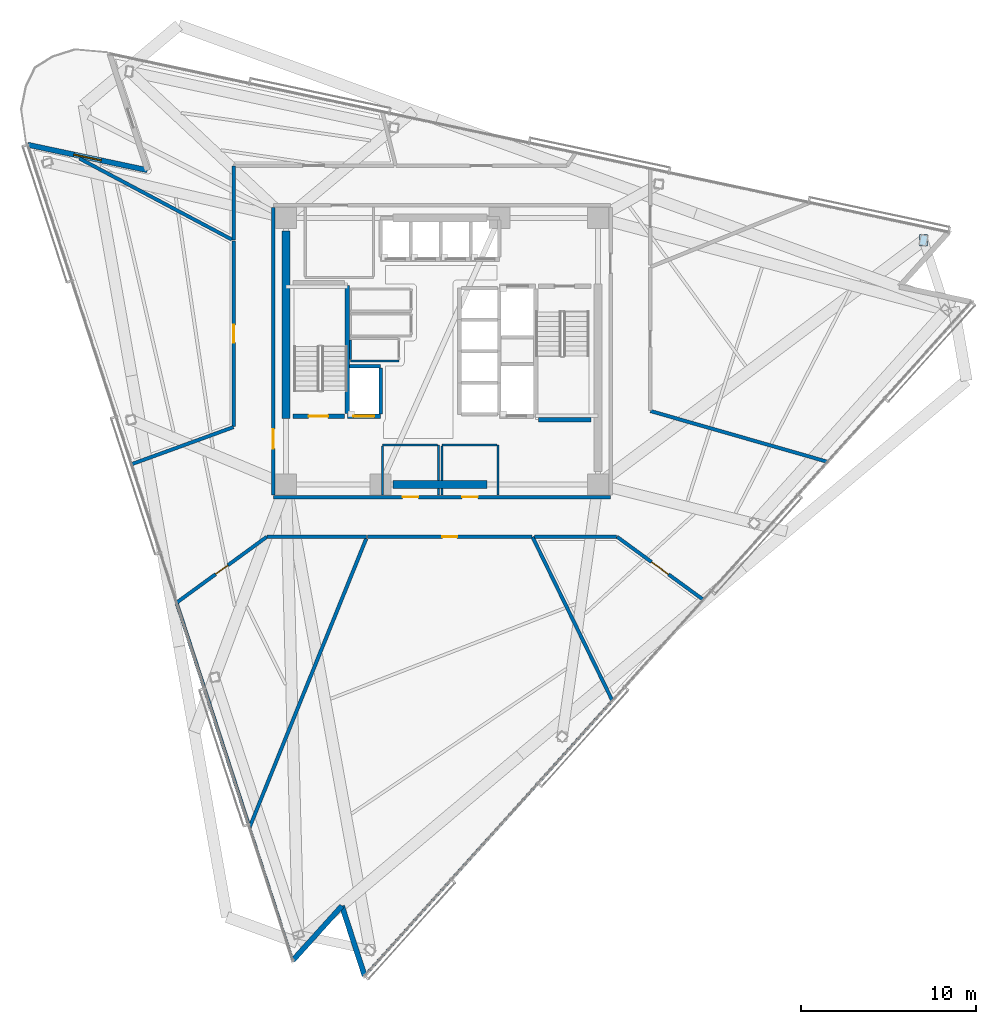
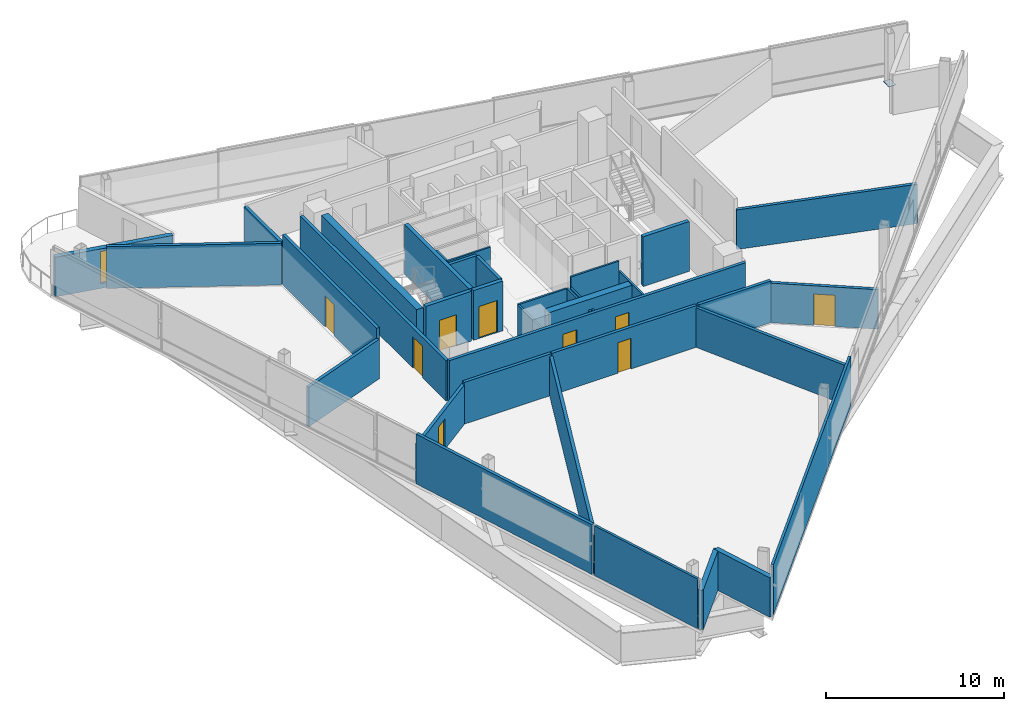
# One storey, part 10 of 17: 38 walls, 9 doors, 1 plate, 1 window, 10 openings.
"""IFC4 building model written with IfcOpenShell, lengths in metres."""

from ifc_helpers import new_model, si_unit, direction, frame, frame_2d, origin, origin_2d, place, context, subcontext, project, spatial, rectangle, extrude, material, layer, layer_set, type_object, element, fill, save


model = new_model("IFC4")

# Units and contexts
model_context = context("Model", 3, precision=1e-05, world=origin(), true_north=direction((0.0, 1.0)))
body_context = subcontext(model_context, "Body", "Model", "MODEL_VIEW")
ifc_project = project(units=[si_unit("LENGTHUNIT", "METRE"), si_unit("AREAUNIT", "SQUARE_METRE"), si_unit("VOLUMEUNIT", "CUBIC_METRE"), si_unit("PLANEANGLEUNIT", "RADIAN"), si_unit("MASSUNIT", "GRAM", prefix="KILO")], contexts=[model_context])

# Site, building, storey
site_placement = place(None, origin())
site = spatial("IfcSite", under=ifc_project, at=site_placement, CompositionType="ELEMENT")
building_placement = place(site_placement, origin())
building = spatial("IfcBuilding", under=site, at=building_placement, Name="Tharavind Bronze Gate", CompositionType="ELEMENT")
storey_placement = place(building_placement, frame((0.0, 0.0, 196.85009765625)))
storey = spatial("IfcBuildingStorey", under=building, at=storey_placement, Name="L50", CompositionType="ELEMENT", Elevation=196.85009765625)

# Plate
ifc_material_1 = material(Name="Steel S460", Category="steel")
ifc_layer_1 = layer(ifc_material_1, 0.02490234375)
ifc_layer_set_1 = layer_set([ifc_layer_1], Name="Steel S460")
plate_type = type_object("IfcPlateType", Name="STEEL END CAP SHEET 25", PredefinedType="SHEET", material=ifc_layer_set_1)
plate_placement = place(storey_placement, frame((27.478515625, 6.330078125, -0.012451171875), z_axis=(0.0, 0.0, 1.0), x_axis=(1.0, 0.0, 0.0)))
element("IfcPlate", 1, at=plate_placement, inside=storey, type_object=plate_type, Name="Steel end cap plate CAP-COLB-L50-S3C1", PredefinedType="SHEET", context=body_context, shape_type="SweptSolid", body=[
    extrude(rectangle(XDim=0.445068359375, YDim=0.64501953125, at=origin_2d()), origin(), (0.0, 0.0, 1.0), 0.02490234375),
])

# Wall, opening, window
ifc_material_2 = material(Name="Concrete C40/50", Category="concrete")
ifc_layer_2 = layer(ifc_material_2, 0.300048828125)
ifc_layer_set_2 = layer_set([ifc_layer_2], Name="Concrete C40/50")
wall_type_1 = type_object("IfcWallType", Name="EXTERIOR SPANDREL WALL 300", PredefinedType="STANDARD", material=ifc_layer_set_2)
wall_1_placement = place(storey_placement, frame((-16.802734375, 10.329345703125, 0.0), z_axis=(0.0, 0.0, 1.0), x_axis=(-0.9781486268, 0.207906863497, 0.0)))
wall_1 = element("IfcWall", 2, at=wall_1_placement, inside=storey, type_object=wall_type_1, Name="L50 notch cheek wall 1B", PredefinedType="STANDARD", context=body_context, shape_type="SweptSolid", body=[
    extrude(rectangle(XDim=6.97998046875, YDim=0.300048828125, at=frame_2d((3.489990234375, 0.0))), origin(), (0.0, 0.0, 1.0), 2.71484375),
])
opening_1_placement = place(wall_1_placement, frame((2.68994140625, 0.0, 0.3349609375)))
opening_1 = element("IfcOpeningElement", 3, at=opening_1_placement, cuts=wall_1, Name="Opening W05", PredefinedType="OPENING", context=body_context, shape_type="SweptSolid", body=[
    extrude(rectangle(XDim=1.60009765625, YDim=2.199951171875, at=frame_2d((0.800048828125, 1.10009765625))), frame((0.0, 0.15990234375, 0.0), z_axis=(0.0, -1.0, 0.0), x_axis=(1.0, 0.0, 0.0)), (0.0, 0.0, 1.0), 0.320048828125),
])
ifc_material_3 = material(Name="Bronze Aluminium & Low-E Glass", Category="aluminium")
window_type = type_object("IfcWindowType", Name="OFFICE NOTCH BRONZE WINDOW 1600X2200", PartitioningType="DOUBLE_PANEL_VERTICAL", PredefinedType="WINDOW", material=ifc_material_3)
window_placement = place(opening_1_placement, origin())
window = element("IfcWindow", 4, at=window_placement, inside=storey, type_object=window_type, Name="L50 exterior window WL-L50-NCA1-01", OverallHeight=2.199951171875, OverallWidth=1.60009765625, PartitioningType="SINGLE_PANEL", PredefinedType="WINDOW", context=body_context, shape_type="SweptSolid", body=[
    extrude(rectangle(XDim=1.60009765625, YDim=2.199951171875, at=frame_2d((0.800048828125, 1.10009765625))), frame((0.0, 0.030029296875, 0.0), z_axis=(0.0, -1.0, 0.0), x_axis=(1.0, 0.0, 0.0)), (0.0, 0.0, 1.0), 0.06005859375),
])
fill(opening_1, window)

# Walls
wall_2_placement = place(storey_placement, frame((-8.5087890625, -34.7587890625, 0.0), z_axis=(0.0, 0.0, 1.0), x_axis=(0.669151507466, 0.743126005504, 0.0)))
element("IfcWall", 5, at=wall_2_placement, inside=storey, type_object=wall_type_1, Name="L50 notch cheek wall 2A", PredefinedType="STANDARD", context=body_context, shape_type="SweptSolid", body=[
    extrude(rectangle(XDim=4.188232421875, YDim=0.300048828125, at=frame_2d((2.09423828125, 0.0))), origin(), (0.0, 0.0, 1.0), 2.71484375),
])
wall_3_placement = place(storey_placement, frame((-5.706298828125, -31.646484375, 0.0), z_axis=(0.0, 0.0, 1.0), x_axis=(0.309030708092, -0.951052060329, 0.0)))
element("IfcWall", 6, at=wall_3_placement, inside=storey, type_object=wall_type_1, Name="L50 notch cheek wall 2B", PredefinedType="STANDARD", context=body_context, shape_type="SweptSolid", body=[
    extrude(rectangle(XDim=4.18798828125, YDim=0.300048828125, at=frame_2d((2.093994140625, 0.0))), origin(), (0.0, 0.0, 1.0), 2.71484375),
])

# Wall, openings, doors
ifc_material_4 = material(Name="Aerated Concrete Block", Category="concrete")
ifc_layer_3 = layer(ifc_material_4, 0.199951171875)
ifc_layer_set_3 = layer_set([ifc_layer_3], Name="Aerated Concrete Block")
wall_type_2 = type_object("IfcWallType", Name="FIRE RATED PARTITION 200", PredefinedType="PARTITIONING", material=ifc_layer_set_3)
wall_4_placement = place(storey_placement, frame((-9.6201171875, -8.320068359375, 0.0), z_axis=(0.0, 0.0, 1.0), x_axis=(1.0, 0.0, 0.0)))
wall_4 = element("IfcWall", 7, at=wall_4_placement, inside=storey, type_object=wall_type_2, Name="L50 south core corridor wall", PredefinedType="PARTITIONING", context=body_context, shape_type="SweptSolid", body=[
    extrude(rectangle(XDim=19.240234375, YDim=0.199951171875, at=frame_2d((9.6201171875, 0.0))), origin(), (0.0, 0.0, 1.0), 2.864990234375),
])
opening_2_placement = place(wall_4_placement, frame((7.3701171875, 0.0, 0.0)))
opening_2 = element("IfcOpeningElement", 8, at=opening_2_placement, cuts=wall_4, Name="Opening ID07", PredefinedType="OPENING", context=body_context, shape_type="SweptSolid", body=[
    extrude(rectangle(XDim=0.89990234375, YDim=2.10009765625, at=frame_2d((0.449951171875, 1.050048828125))), frame((0.0, 0.11009765625, 0.0), z_axis=(0.0, -1.0, 0.0), x_axis=(1.0, 0.0, 0.0)), (0.0, 0.0, 1.0), 0.219951171875),
])
opening_3_placement = place(wall_4_placement, frame((10.77001953125, 0.0, 0.0)))
opening_3 = element("IfcOpeningElement", 9, at=opening_3_placement, cuts=wall_4, Name="Opening ID07", PredefinedType="OPENING", context=body_context, shape_type="SweptSolid", body=[
    extrude(rectangle(XDim=0.89990234375, YDim=2.10009765625, at=frame_2d((0.449951171875, 1.050048828125))), frame((0.0, 0.11009765625, 0.0), z_axis=(0.0, -1.0, 0.0), x_axis=(1.0, 0.0, 0.0)), (0.0, 0.0, 1.0), 0.219951171875),
])
ifc_material_5 = material(Name="Galvanised Fire Steel", Category="steel")
door_type_1 = type_object("IfcDoorType", Name="PLANT AND RISER FIRE DOOR 900X2100", OperationType="SINGLE_SWING_LEFT", PredefinedType="DOOR", material=ifc_material_5)
door_1_placement = place(opening_2_placement, frame((0.89990234375, 0.0, 0.0), z_axis=(0.0, 0.0, 1.0), x_axis=(-1.0, 0.0, 0.0)))
door_1 = element("IfcDoor", 10, at=door_1_placement, inside=storey, type_object=door_type_1, Name="L50 Core Archive Store fire door", OperationType="SINGLE_SWING_LEFT", OverallHeight=2.10009765625, OverallWidth=0.89990234375, PredefinedType="DOOR", context=body_context, shape_type="SweptSolid", body=[
    extrude(rectangle(XDim=0.89990234375, YDim=2.10009765625, at=frame_2d((0.449951171875, 1.050048828125))), frame((0.0, 0.02490234375, 0.0), z_axis=(0.0, -1.0, 0.0), x_axis=(1.0, 0.0, 0.0)), (0.0, 0.0, 1.0), 0.050048828125),
])
fill(opening_2, door_1)
door_2_placement = place(opening_3_placement, frame((0.89990234375, 0.0, 0.0), z_axis=(0.0, 0.0, 1.0), x_axis=(-1.0, 0.0, 0.0)))
door_2 = element("IfcDoor", 11, at=door_2_placement, inside=storey, type_object=door_type_1, Name="L50 Core Server Room fire door", OperationType="SINGLE_SWING_LEFT", OverallHeight=2.10009765625, OverallWidth=0.89990234375, PredefinedType="DOOR", context=body_context, shape_type="SweptSolid", body=[
    extrude(rectangle(XDim=0.89990234375, YDim=2.10009765625, at=frame_2d((0.449951171875, 1.050048828125))), frame((0.0, 0.02490234375, 0.0), z_axis=(0.0, -1.0, 0.0), x_axis=(1.0, 0.0, 0.0)), (0.0, 0.0, 1.0), 0.050048828125),
])
fill(opening_3, door_2)

# Wall, opening, door
wall_5_placement = place(storey_placement, frame((-9.6201171875, 8.199951171875, 0.0), z_axis=(0.0, 0.0, 1.0), x_axis=(0.0, -1.0, 0.0)))
wall_5 = element("IfcWall", 12, at=wall_5_placement, inside=storey, type_object=wall_type_2, Name="L50 west core corridor wall", PredefinedType="PARTITIONING", context=body_context, shape_type="SweptSolid", body=[
    extrude(rectangle(XDim=16.39990234375, YDim=0.199951171875, at=frame_2d((8.199951171875, 0.0))), origin(), (0.0, 0.0, 1.0), 2.764892578125),
])
opening_4_placement = place(wall_5_placement, frame((12.64990234375, 0.0, 0.0)))
opening_4 = element("IfcOpeningElement", 13, at=opening_4_placement, cuts=wall_5, Name="Opening ID01", PredefinedType="OPENING", context=body_context, shape_type="SweptSolid", body=[
    extrude(rectangle(XDim=1.10009765625, YDim=2.14990234375, at=frame_2d((0.550048828125, 1.074951171875))), frame((0.0, 0.11009765625, 0.0), z_axis=(0.0, -1.0, 0.0), x_axis=(1.0, 0.0, 0.0)), (0.0, 0.0, 1.0), 0.219951171875),
])
ifc_material_6 = material(Name="Fire-Rated Steel", Category="steel")
door_type_2 = type_object("IfcDoorType", Name="STAIR CORE FIRE DOOR 1100X2150", OperationType="SINGLE_SWING_LEFT", PredefinedType="DOOR", material=ifc_material_6)
door_3_placement = place(opening_4_placement, frame((1.10009765625, 0.0, 0.0), z_axis=(0.0, 0.0, 1.0), x_axis=(-1.0, 0.0, 0.0)))
door_3 = element("IfcDoor", 14, at=door_3_placement, inside=storey, type_object=door_type_2, Name="L50 south west stair lobby fire door", OperationType="SINGLE_SWING_LEFT", OverallHeight=2.14990234375, OverallWidth=1.10009765625, PredefinedType="DOOR", context=body_context, shape_type="SweptSolid", body=[
    extrude(rectangle(XDim=1.10009765625, YDim=2.14990234375, at=frame_2d((0.550048828125, 1.074951171875))), frame((0.0, 0.02490234375, 0.0), z_axis=(0.0, -1.0, 0.0), x_axis=(1.0, 0.0, 0.0)), (0.0, 0.0, 1.0), 0.050048828125),
])
fill(opening_4, door_3)

wall_6_placement = place(storey_placement, frame((-15.14111328125, -14.3466796875, 0.0), z_axis=(0.0, 0.0, 1.0), x_axis=(0.807843616105, 0.589396888284, 0.0)))
wall_6 = element("IfcWall", 15, at=wall_6_placement, inside=storey, type_object=wall_type_2, Name="L50 Public Restrooms Block partition", PredefinedType="PARTITIONING", context=body_context, shape_type="SweptSolid", body=[
    extrude(rectangle(XDim=6.3828125, YDim=0.199951171875, at=frame_2d((3.19140625, 0.0))), origin(), (0.0, 0.0, 1.0), 2.71484375),
])
opening_5_placement = place(wall_6_placement, frame((2.76611328125, 0.0, 0.0)))
opening_5 = element("IfcOpeningElement", 16, at=opening_5_placement, cuts=wall_6, Name="Opening ID06", PredefinedType="OPENING", context=body_context, shape_type="SweptSolid", body=[
    extrude(rectangle(XDim=0.85009765625, YDim=2.10009765625, at=frame_2d((0.425048828125, 1.050048828125))), frame((0.0, 0.11009765625, 0.0), z_axis=(0.0, -1.0, 0.0), x_axis=(1.0, 0.0, 0.0)), (0.0, 0.0, 1.0), 0.219951171875),
])
ifc_material_7 = material(Name="Moisture-Resistant Timber", Category="wood")
door_type_3 = type_object("IfcDoorType", Name="BATHROOM PRIVACY DOOR 850X2100", OperationType="SINGLE_SWING_RIGHT", PredefinedType="DOOR", material=ifc_material_7)
door_4_placement = place(opening_5_placement, origin())
door_4 = element("IfcDoor", 17, at=door_4_placement, inside=storey, type_object=door_type_3, Name="L50 Public Restrooms Block door", OperationType="SINGLE_SWING_RIGHT", OverallHeight=2.10009765625, OverallWidth=0.85009765625, PredefinedType="DOOR", context=body_context, shape_type="SweptSolid", body=[
    extrude(rectangle(XDim=0.85009765625, YDim=2.10009765625, at=frame_2d((0.425048828125, 1.050048828125))), frame((0.0, 0.02490234375, 0.0), z_axis=(0.0, -1.0, 0.0), x_axis=(1.0, 0.0, 0.0)), (0.0, 0.0, 1.0), 0.050048828125),
])
fill(opening_5, door_4)

# Walls
wall_7_placement = place(storey_placement, frame((-9.969970703125, -10.580078125, 0.0), z_axis=(0.0, 0.0, 1.0), x_axis=(1.0, 0.0, 0.0)))
element("IfcWall", 18, at=wall_7_placement, inside=storey, type_object=wall_type_2, Name="L50 Public Restrooms Block partition", PredefinedType="PARTITIONING", context=body_context, shape_type="SweptSolid", body=[
    extrude(rectangle(XDim=5.658203125, YDim=0.199951171875, at=frame_2d((2.8291015625, 0.0))), origin(), (0.0, 0.0, 1.0), 2.864990234375),
])
wall_8_placement = place(storey_placement, frame((-4.31689453125, -10.68505859375, 0.0), z_axis=(0.0, 0.0, 1.0), x_axis=(-0.374604298034, -0.927184781958, 0.0)))
element("IfcWall", 19, at=wall_8_placement, inside=storey, type_object=wall_type_2, Name="L50 Public Restrooms Block partition", PredefinedType="PARTITIONING", context=body_context, shape_type="SweptSolid", body=[
    extrude(rectangle(XDim=17.775146484375, YDim=0.199951171875, at=frame_2d((8.8876953125, 0.0))), origin(), (0.0, 0.0, 1.0), 2.71484375),
])
wall_9_placement = place(storey_placement, frame((-11.026123046875, -27.0107421875, 0.0), z_axis=(0.0, 0.0, 1.0), x_axis=(-0.309025926892, 0.951053613898, 0.0)))
element("IfcWall", 20, at=wall_9_placement, inside=storey, type_object=wall_type_2, Name="L50 Public Restrooms Block partition", PredefinedType="PARTITIONING", context=body_context, shape_type="SweptSolid", body=[
    extrude(rectangle(XDim=13.308837890625, YDim=0.199951171875, at=frame_2d((6.654296875, 0.0))), origin(), (0.0, 0.0, 1.0), 3.419921875),
])

# Wall, opening, door
wall_10_placement = place(storey_placement, frame((-4.2578125, -10.580078125, 0.0), z_axis=(0.0, 0.0, 1.0), x_axis=(1.0, 0.0, 0.0)))
wall_10 = element("IfcWall", 21, at=wall_10_placement, inside=storey, type_object=wall_type_2, Name="L50 Public Restrooms Block partition", PredefinedType="PARTITIONING", context=body_context, shape_type="SweptSolid", body=[
    extrude(rectangle(XDim=9.40234375, YDim=0.199951171875, at=frame_2d((4.701171875, 0.0))), origin(), (0.0, 0.0, 1.0), 2.864990234375),
])
opening_6_placement = place(wall_10_placement, frame((4.27587890625, 0.0, 0.0)))
opening_6 = element("IfcOpeningElement", 22, at=opening_6_placement, cuts=wall_10, Name="Opening ID06", PredefinedType="OPENING", context=body_context, shape_type="SweptSolid", body=[
    extrude(rectangle(XDim=0.85009765625, YDim=2.10009765625, at=frame_2d((0.425048828125, 1.050048828125))), frame((0.0, 0.11009765625, 0.0), z_axis=(0.0, -1.0, 0.0), x_axis=(1.0, 0.0, 0.0)), (0.0, 0.0, 1.0), 0.219951171875),
])
door_5_placement = place(opening_6_placement, origin())
door_5 = element("IfcDoor", 23, at=door_5_placement, inside=storey, type_object=door_type_3, Name="L50 Public Restrooms Block door", OperationType="SINGLE_SWING_RIGHT", OverallHeight=2.10009765625, OverallWidth=0.85009765625, PredefinedType="DOOR", context=body_context, shape_type="SweptSolid", body=[
    extrude(rectangle(XDim=0.85009765625, YDim=2.10009765625, at=frame_2d((0.425048828125, 1.050048828125))), frame((0.0, 0.02490234375, 0.0), z_axis=(0.0, -1.0, 0.0), x_axis=(1.0, 0.0, 0.0)), (0.0, 0.0, 1.0), 0.050048828125),
])
fill(opening_6, door_5)

# Walls
wall_11_placement = place(storey_placement, frame((5.1669921875, -10.593994140625, 0.0), z_axis=(0.0, 0.0, 1.0), x_axis=(0.438370303352, -0.89879445767, 0.0)))
element("IfcWall", 24, at=wall_11_placement, inside=storey, type_object=wall_type_2, Name="L50 Public Restrooms Block partition", PredefinedType="PARTITIONING", context=body_context, shape_type="SweptSolid", body=[
    extrude(rectangle(XDim=10.372802734375, YDim=0.199951171875, at=frame_2d((5.1865234375, 0.0))), origin(), (0.0, 0.0, 1.0), 2.71484375),
])
wall_12_placement = place(storey_placement, frame((-11.8798828125, 10.579345703125, 0.0), z_axis=(0.0, 0.0, 1.0), x_axis=(0.0, -1.0, 0.0)))
element("IfcWall", 25, at=wall_12_placement, inside=storey, type_object=wall_type_2, Name="L50 Executive Briefing Room partition", PredefinedType="PARTITIONING", context=body_context, shape_type="SweptSolid", body=[
    extrude(rectangle(XDim=4.220947265625, YDim=0.199951171875, at=frame_2d((2.1103515625, 0.0))), origin(), (0.0, 0.0, 1.0), 2.764892578125),
])
wall_13_placement = place(storey_placement, frame((-11.985107421875, 6.37255859375, 0.0), z_axis=(0.0, 0.0, 1.0), x_axis=(-0.882952879682, 0.469461619583, 0.0)))
element("IfcWall", 26, at=wall_13_placement, inside=storey, type_object=wall_type_2, Name="L50 Executive Briefing Room partition", PredefinedType="PARTITIONING", context=body_context, shape_type="SweptSolid", body=[
    extrude(rectangle(XDim=9.844970703125, YDim=0.199951171875, at=frame_2d((4.92236328125, 0.0))), origin(), (0.0, 0.0, 1.0), 2.864990234375),
])

# Wall, opening, door
wall_14_placement = place(storey_placement, frame((-11.8798828125, 6.3017578125, 0.0), z_axis=(0.0, 0.0, 1.0), x_axis=(0.0, -1.0, 0.0)))
wall_14 = element("IfcWall", 27, at=wall_14_placement, inside=storey, type_object=wall_type_2, Name="L50 Co-Working Open Office partition", PredefinedType="PARTITIONING", context=body_context, shape_type="SweptSolid", body=[
    extrude(rectangle(XDim=10.608154296875, YDim=0.199951171875, at=frame_2d((5.30419921875, 0.0))), origin(), (0.0, 0.0, 1.0), 3.419921875),
])
opening_7_placement = place(wall_14_placement, frame((4.803955078125, 0.0, 0.0)))
opening_7 = element("IfcOpeningElement", 28, at=opening_7_placement, cuts=wall_14, Name="Opening ID04", PredefinedType="OPENING", context=body_context, shape_type="SweptSolid", body=[
    extrude(rectangle(XDim=1.0, YDim=2.14990234375, at=frame_2d((0.5, 1.074951171875))), frame((0.0, 0.11009765625, 0.0), z_axis=(0.0, -1.0, 0.0), x_axis=(1.0, 0.0, 0.0)), (0.0, 0.0, 1.0), 0.219951171875),
])
ifc_material_8 = material(Name="Bronze Framed Acoustic Timber", Category="wood")
door_type_4 = type_object("IfcDoorType", Name="OFFICE TENANCY DOOR 1000X2150", OperationType="SINGLE_SWING_RIGHT", PredefinedType="DOOR", material=ifc_material_8)
door_6_placement = place(opening_7_placement, origin())
door_6 = element("IfcDoor", 29, at=door_6_placement, inside=storey, type_object=door_type_4, Name="L50 Co-Working Open Office door", OperationType="SINGLE_SWING_RIGHT", OverallHeight=2.14990234375, OverallWidth=1.0, PredefinedType="DOOR", context=body_context, shape_type="SweptSolid", body=[
    extrude(rectangle(XDim=1.0, YDim=2.14990234375, at=frame_2d((0.5, 1.074951171875))), frame((0.0, 0.02490234375, 0.0), z_axis=(0.0, -1.0, 0.0), x_axis=(1.0, 0.0, 0.0)), (0.0, 0.0, 1.0), 0.050048828125),
])
fill(opening_7, door_6)

# Walls
wall_15_placement = place(storey_placement, frame((-11.896484375, -4.330078125, 0.0), z_axis=(0.0, 0.0, 1.0), x_axis=(-0.939708906317, -0.341975395883, 0.0)))
element("IfcWall", 30, at=wall_15_placement, inside=storey, type_object=wall_type_2, Name="L50 Co-Working Open Office partition", PredefinedType="PARTITIONING", context=body_context, shape_type="SweptSolid", body=[
    extrude(rectangle(XDim=6.158935546875, YDim=0.199951171875, at=frame_2d((3.07958984375, 0.0))), origin(), (0.0, 0.0, 1.0), 2.71484375),
])
wall_16_placement = place(storey_placement, frame((5.277099609375, -10.580078125, 0.0), z_axis=(0.0, 0.0, 1.0), x_axis=(1.0, 0.0, 0.0)))
element("IfcWall", 31, at=wall_16_placement, inside=storey, type_object=wall_type_2, Name="L50 Espresso Cafe partition", PredefinedType="PARTITIONING", context=body_context, shape_type="SweptSolid", body=[
    extrude(rectangle(XDim=4.69287109375, YDim=0.199951171875, at=frame_2d((2.346435546875, 0.0))), origin(), (0.0, 0.0, 1.0), 2.864990234375),
])

# Wall, opening, door
wall_17_placement = place(storey_placement, frame((9.98486328125, -10.584716796875, 0.0), z_axis=(0.0, 0.0, 1.0), x_axis=(0.807842527243, -0.589398380705, 0.0)))
wall_17 = element("IfcWall", 32, at=wall_17_placement, inside=storey, type_object=wall_type_2, Name="L50 Espresso Cafe partition", PredefinedType="PARTITIONING", context=body_context, shape_type="SweptSolid", body=[
    extrude(rectangle(XDim=6.091064453125, YDim=0.199951171875, at=frame_2d((3.04541015625, 0.0))), origin(), (0.0, 0.0, 1.0), 2.71484375),
])
opening_8_placement = place(wall_17_placement, frame((2.446044921875, 0.0, 0.0)))
opening_8 = element("IfcOpeningElement", 33, at=opening_8_placement, cuts=wall_17, Name="Opening ID05", PredefinedType="OPENING", context=body_context, shape_type="SweptSolid", body=[
    extrude(rectangle(XDim=1.199951171875, YDim=2.14990234375, at=frame_2d((0.60009765625, 1.074951171875))), frame((0.0, 0.11009765625, 0.0), z_axis=(0.0, -1.0, 0.0), x_axis=(1.0, 0.0, 0.0)), (0.0, 0.0, 1.0), 0.219951171875),
])
ifc_material_9 = material(Name="Acoustic Laminated Glass", Category="glass")
door_type_5 = type_object("IfcDoorType", Name="MEETING ROOM GLAZED DOOR 1200X2150", OperationType="SINGLE_SWING_LEFT", PredefinedType="DOOR", material=ifc_material_9)
door_7_placement = place(opening_8_placement, origin())
door_7 = element("IfcDoor", 34, at=door_7_placement, inside=storey, type_object=door_type_5, Name="L50 Espresso Cafe door", OperationType="SINGLE_SWING_LEFT", OverallHeight=2.14990234375, OverallWidth=1.199951171875, PredefinedType="DOOR", context=body_context, shape_type="SweptSolid", body=[
    extrude(rectangle(XDim=1.199951171875, YDim=2.14990234375, at=frame_2d((0.60009765625, 1.074951171875))), frame((0.0, 0.02490234375, 0.0), z_axis=(0.0, -1.0, 0.0), x_axis=(1.0, 0.0, 0.0)), (0.0, 0.0, 1.0), 0.050048828125),
])
fill(opening_8, door_7)

# Walls
wall_18_placement = place(storey_placement, frame((21.975830078125, -6.301513671875, 0.0), z_axis=(0.0, 0.0, 1.0), x_axis=(-0.961257228778, 0.275652934179, 0.0)))
element("IfcWall", 35, at=wall_18_placement, inside=storey, type_object=wall_type_2, Name="L50 Back-of-House Store partition", PredefinedType="PARTITIONING", context=body_context, shape_type="SweptSolid", body=[
    extrude(rectangle(XDim=10.48388671875, YDim=0.199951171875, at=frame_2d((5.241943359375, 0.0))), origin(), (0.0, 0.0, 1.0), 2.71484375),
])
ifc_material_10 = material(Name="Metal Stud Gypsum Partition", Category="gypsum")
ifc_layer_4 = layer(ifc_material_10, 0.1201171875)
ifc_layer_set_4 = layer_set([ifc_layer_4], Name="Metal Stud Gypsum Partition")
wall_type_3 = type_object("IfcWallType", Name="INTERIOR PARTITION WALL 120", PredefinedType="PARTITIONING", material=ifc_layer_set_4)
wall_19_placement = place(storey_placement, frame((-5.219970703125, -0.550048828125, 0.0), z_axis=(0.0, 0.0, 1.0), x_axis=(1.0, 0.0, 0.0)))
element("IfcWall", 36, at=wall_19_placement, inside=storey, type_object=wall_type_3, Name="L50 Electrical Metering Store partition 1", PredefinedType="PARTITIONING", context=body_context, shape_type="SweptSolid", body=[
    extrude(rectangle(XDim=2.77001953125, YDim=0.1201171875, at=frame_2d((1.385009765625, 0.0))), origin(), (0.0, 0.0, 1.0), 3.419921875),
])
wall_20_placement = place(storey_placement, frame((-5.219970703125, 0.655029296875, 0.0), z_axis=(0.0, 0.0, 1.0), x_axis=(0.0, -1.0, 0.0)))
element("IfcWall", 37, at=wall_20_placement, inside=storey, type_object=wall_type_3, Name="L50 Electrical Metering Store partition 4", PredefinedType="PARTITIONING", context=body_context, shape_type="SweptSolid", body=[
    extrude(rectangle(XDim=1.14013671875, YDim=0.1201171875, at=frame_2d((0.570068359375, 0.0))), origin(), (0.0, 0.0, 1.0), 3.419921875),
])
wall_21_placement = place(storey_placement, frame((-0.199951171875, -8.215087890625, 0.0), z_axis=(0.0, 0.0, 1.0), x_axis=(0.0, 1.0, 0.0)))
element("IfcWall", 38, at=wall_21_placement, inside=storey, type_object=wall_type_3, Name="L50 Core Archive Store partition 2", PredefinedType="PARTITIONING", context=body_context, shape_type="SweptSolid", body=[
    extrude(rectangle(XDim=0.385009765625, YDim=0.1201171875, at=frame_2d((0.1923828125, 0.0))), origin(), (0.0, 0.0, 1.0), 2.71484375),
])
wall_22_placement = place(storey_placement, frame((-0.199951171875, -7.3701171875, 0.0), z_axis=(0.0, 0.0, 1.0), x_axis=(0.0, 1.0, 0.0)))
element("IfcWall", 39, at=wall_22_placement, inside=storey, type_object=wall_type_3, Name="L50 Core Archive Store partition 2", PredefinedType="PARTITIONING", context=body_context, shape_type="SweptSolid", body=[
    extrude(rectangle(XDim=2.02001953125, YDim=0.1201171875, at=frame_2d((1.010009765625, 0.0))), origin(), (0.0, 0.0, 1.0), 2.71484375),
])
wall_23_placement = place(storey_placement, frame((-0.264892578125, -5.35009765625, 0.0), z_axis=(0.0, 0.0, 1.0), x_axis=(-1.0, 0.0, 0.0)))
element("IfcWall", 40, at=wall_23_placement, inside=storey, type_object=wall_type_3, Name="L50 Core Archive Store partition 3", PredefinedType="PARTITIONING", context=body_context, shape_type="SweptSolid", body=[
    extrude(rectangle(XDim=3.135009765625, YDim=0.1201171875, at=frame_2d((1.5673828125, 0.0))), origin(), (0.0, 0.0, 1.0), 2.71484375),
])
wall_24_placement = place(storey_placement, frame((-3.39990234375, -5.4150390625, 0.0), z_axis=(0.0, 0.0, 1.0), x_axis=(0.0, -1.0, 0.0)))
element("IfcWall", 41, at=wall_24_placement, inside=storey, type_object=wall_type_3, Name="L50 Core Archive Store partition 4", PredefinedType="PARTITIONING", context=body_context, shape_type="SweptSolid", body=[
    extrude(rectangle(XDim=2.800048828125, YDim=0.1201171875, at=frame_2d((1.39990234375, 0.0))), origin(), (0.0, 0.0, 1.0), 2.71484375),
])
wall_25_placement = place(storey_placement, frame((3.199951171875, -8.215087890625, 0.0), z_axis=(0.0, 0.0, 1.0), x_axis=(0.0, 1.0, 0.0)))
element("IfcWall", 42, at=wall_25_placement, inside=storey, type_object=wall_type_3, Name="L50 Core Server Room partition 2", PredefinedType="PARTITIONING", context=body_context, shape_type="SweptSolid", body=[
    extrude(rectangle(XDim=2.864990234375, YDim=0.1201171875, at=frame_2d((1.4326171875, 0.0))), origin(), (0.0, 0.0, 1.0), 2.71484375),
])
wall_26_placement = place(storey_placement, frame((3.135009765625, -5.35009765625, 0.0), z_axis=(0.0, 0.0, 1.0), x_axis=(-1.0, 0.0, 0.0)))
element("IfcWall", 43, at=wall_26_placement, inside=storey, type_object=wall_type_3, Name="L50 Core Server Room partition 3", PredefinedType="PARTITIONING", context=body_context, shape_type="SweptSolid", body=[
    extrude(rectangle(XDim=3.135009765625, YDim=0.1201171875, at=frame_2d((1.5673828125, 0.0))), origin(), (0.0, 0.0, 1.0), 3.419921875),
])
wall_27_placement = place(storey_placement, frame((0.0, -5.4150390625, 0.0), z_axis=(0.0, 0.0, 1.0), x_axis=(0.0, -1.0, 0.0)))
element("IfcWall", 44, at=wall_27_placement, inside=storey, type_object=wall_type_3, Name="L50 Core Server Room partition 4", PredefinedType="PARTITIONING", context=body_context, shape_type="SweptSolid", body=[
    extrude(rectangle(XDim=1.955078125, YDim=0.1201171875, at=frame_2d((0.9775390625, 0.0))), origin(), (0.0, 0.0, 1.0), 2.71484375),
])
wall_28_placement = place(storey_placement, frame((0.0, -7.830078125, 0.0), z_axis=(0.0, 0.0, 1.0), x_axis=(0.0, -1.0, 0.0)))
element("IfcWall", 45, at=wall_28_placement, inside=storey, type_object=wall_type_3, Name="L50 Core Server Room partition 4", PredefinedType="PARTITIONING", context=body_context, shape_type="SweptSolid", body=[
    extrude(rectangle(XDim=0.385009765625, YDim=0.1201171875, at=frame_2d((0.1923828125, 0.0))), origin(), (0.0, 0.0, 1.0), 2.71484375),
])
ifc_material_11 = material(Name="Twin Stud Acoustic Gypsum", Category="gypsum")
ifc_layer_5 = layer(ifc_material_11, 0.14990234375)
ifc_layer_set_5 = layer_set([ifc_layer_5], Name="Twin Stud Acoustic Gypsum")
wall_type_4 = type_object("IfcWallType", Name="INTERIOR PARTITION WALL 150", PredefinedType="PARTITIONING", material=ifc_layer_set_5)
wall_29_placement = place(storey_placement, frame((-8.56396484375, -34.58837890625, 0.0), z_axis=(0.0, 0.0, 1.0), x_axis=(-0.309021628398, 0.951055010597, 0.0)))
element("IfcWall", 46, at=wall_29_placement, inside=storey, type_object=wall_type_4, Name="L50 Public Restrooms Block partition", PredefinedType="PARTITIONING", context=body_context, shape_type="SweptSolid", body=[
    extrude(rectangle(XDim=7.79541015625, YDim=0.14990234375, at=frame_2d((3.897705078125, 0.0))), origin(), (0.0, 0.0, 1.0), 3.419921875),
])
wall_30_placement = place(storey_placement, frame((9.710205078125, -19.94482421875, 0.0), z_axis=(0.0, 0.0, 1.0), x_axis=(-0.669125853899, -0.743149104584, 0.0)))
element("IfcWall", 47, at=wall_30_placement, inside=storey, type_object=wall_type_4, Name="L50 Public Restrooms Block partition", PredefinedType="PARTITIONING", context=body_context, shape_type="SweptSolid", body=[
    extrude(rectangle(XDim=20.9267578125, YDim=0.14990234375, at=frame_2d((10.46337890625, 0.0))), origin(), (0.0, 0.0, 1.0), 3.419921875),
])
ifc_material_12 = material(Name="Concrete C50/60", Category="concrete")
ifc_layer_6 = layer(ifc_material_12, 0.25)
ifc_layer_set_6 = layer_set([ifc_layer_6], Name="Concrete C50/60")
wall_type_5 = type_object("IfcWallType", Name="RC CORE SHEAR WALL 250", PredefinedType="SHEAR", material=ifc_layer_set_6)
wall_31_placement = place(storey_placement, frame((-5.39990234375, -3.550048828125, 0.0), z_axis=(0.0, 0.0, 1.0), x_axis=(0.0, 1.0, 0.0)))
element("IfcWall", 48, at=wall_31_placement, inside=storey, type_object=wall_type_5, Name="L50 ST1 shaft east wall", PredefinedType="SHEAR", context=body_context, shape_type="SweptSolid", body=[
    extrude(rectangle(XDim=7.300048828125, YDim=0.25, at=frame_2d((3.64990234375, 0.0))), origin(), (0.0, 0.0, 1.0), 3.419921875),
])

# Wall, opening, door
wall_32_placement = place(storey_placement, frame((-8.5, -3.699951171875, 0.0), z_axis=(0.0, 0.0, 1.0), x_axis=(1.0, 0.0, 0.0)))
wall_32 = element("IfcWall", 49, at=wall_32_placement, inside=storey, type_object=wall_type_5, Name="L50 ST1 shaft south wall", PredefinedType="SHEAR", context=body_context, shape_type="SweptSolid", body=[
    extrude(rectangle(XDim=2.949951171875, YDim=0.25, at=frame_2d((1.47509765625, 0.0))), origin(), (0.0, 0.0, 1.0), 3.419921875),
])
opening_9_placement = place(wall_32_placement, frame((0.89990234375, 0.0, 0.0)))
opening_9 = element("IfcOpeningElement", 50, at=opening_9_placement, cuts=wall_32, Name="Opening ID01", PredefinedType="OPENING", context=body_context, shape_type="SweptSolid", body=[
    extrude(rectangle(XDim=1.10009765625, YDim=2.14990234375, at=frame_2d((0.550048828125, 1.074951171875))), frame((0.0, 0.135, 0.0), z_axis=(0.0, -1.0, 0.0), x_axis=(1.0, 0.0, 0.0)), (0.0, 0.0, 1.0), 0.27),
])
door_8_placement = place(opening_9_placement, origin())
door_8 = element("IfcDoor", 51, at=door_8_placement, inside=storey, type_object=door_type_2, Name="L50 exit stair ST1 fire door", OperationType="SINGLE_SWING_LEFT", OverallHeight=2.14990234375, OverallWidth=1.10009765625, PredefinedType="DOOR", context=body_context, shape_type="SweptSolid", body=[
    extrude(rectangle(XDim=1.10009765625, YDim=2.14990234375, at=frame_2d((0.550048828125, 1.074951171875))), frame((0.0, 0.02490234375, 0.0), z_axis=(0.0, -1.0, 0.0), x_axis=(1.0, 0.0, 0.0)), (0.0, 0.0, 1.0), 0.050048828125),
])
fill(opening_9, door_8)

# Wall
wall_33_placement = place(storey_placement, frame((5.5, -3.89990234375, 0.0), z_axis=(0.0, 0.0, 1.0), x_axis=(1.0, 0.0, 0.0)))
element("IfcWall", 52, at=wall_33_placement, inside=storey, type_object=wall_type_5, Name="L50 ST2 shaft south wall", PredefinedType="SHEAR", context=body_context, shape_type="SweptSolid", body=[
    extrude(rectangle(XDim=3.0, YDim=0.25, at=frame_2d((1.5, 0.0))), origin(), (0.0, 0.0, 1.0), 3.419921875),
])

# Wall, opening, door
wall_34_placement = place(storey_placement, frame((-5.39990234375, -3.699951171875, 0.0), z_axis=(0.0, 0.0, 1.0), x_axis=(1.0, 0.0, 0.0)))
wall_34 = element("IfcWall", 53, at=wall_34_placement, inside=storey, type_object=wall_type_5, Name="L50 lift FFL1 shaft front wall", PredefinedType="SHEAR", context=body_context, shape_type="SweptSolid", body=[
    extrude(rectangle(XDim=1.89990234375, YDim=0.25, at=frame_2d((0.949951171875, 0.0))), origin(), (0.0, 0.0, 1.0), 3.419921875),
])
opening_10_placement = place(wall_34_placement, frame((0.35009765625, 0.0, 0.0)))
opening_10 = element("IfcOpeningElement", 54, at=opening_10_placement, cuts=wall_34, Name="Opening LD02", PredefinedType="OPENING", context=body_context, shape_type="SweptSolid", body=[
    extrude(rectangle(XDim=1.199951171875, YDim=2.199951171875, at=frame_2d((0.60009765625, 1.10009765625))), frame((0.0, 0.135, 0.0), z_axis=(0.0, -1.0, 0.0), x_axis=(1.0, 0.0, 0.0)), (0.0, 0.0, 1.0), 0.27),
])
ifc_material_13 = material(Name="Brushed Stainless Steel", Category="steel")
door_type_6 = type_object("IfcDoorType", Name="FIREFIGHTING LIFT LANDING DOOR 1200X2200", OperationType="SLIDING_TO_RIGHT", PredefinedType="DOOR", material=ifc_material_13)
door_9_placement = place(opening_10_placement, origin())
door_9 = element("IfcDoor", 55, at=door_9_placement, inside=storey, type_object=door_type_6, Name="L50 lift FFL1 sliding landing door", OperationType="SLIDING_TO_RIGHT", OverallHeight=2.199951171875, OverallWidth=1.199951171875, PredefinedType="DOOR", context=body_context, shape_type="SweptSolid", body=[
    extrude(rectangle(XDim=1.199951171875, YDim=2.199951171875, at=frame_2d((0.60009765625, 1.10009765625))), frame((0.0, 0.02490234375, 0.0), z_axis=(0.0, -1.0, 0.0), x_axis=(1.0, 0.0, 0.0)), (0.0, 0.0, 1.0), 0.050048828125),
])
fill(opening_10, door_9)

# Walls
ifc_material_14 = material(Name="Concrete C60/75", Category="concrete")
ifc_layer_7 = layer(ifc_material_14, 0.449951171875)
ifc_layer_set_7 = layer_set([ifc_layer_7], Name="Concrete C60/75")
wall_type_6 = type_object("IfcWallType", Name="RC CORE SHEAR WALL 450", PredefinedType="SHEAR", material=ifc_layer_set_7)
wall_35_placement = place(storey_placement, frame((-2.800048828125, -7.60009765625, 0.0), z_axis=(0.0, 0.0, 1.0), x_axis=(1.0, 0.0, 0.0)))
element("IfcWall", 56, at=wall_35_placement, inside=storey, type_object=wall_type_6, Name="L50 south core shear wall", PredefinedType="SHEAR", context=body_context, shape_type="SweptSolid", body=[
    extrude(rectangle(XDim=5.380126953125, YDim=0.449951171875, at=frame_2d((2.68994140625, 0.0))), origin(), (0.0, 0.0, 1.0), 3.419921875),
])
wall_36_placement = place(storey_placement, frame((-8.89990234375, -3.85009765625, 0.0), z_axis=(0.0, 0.0, 1.0), x_axis=(0.0, 1.0, 0.0)))
element("IfcWall", 57, at=wall_36_placement, inside=storey, type_object=wall_type_6, Name="L50 west core shear wall", PredefinedType="SHEAR", context=body_context, shape_type="SweptSolid", body=[
    extrude(rectangle(XDim=10.7001953125, YDim=0.449951171875, at=frame_2d((5.35009765625, 0.0))), origin(), (0.0, 0.0, 1.0), 3.419921875),
])
ifc_layer_8 = layer(ifc_material_2, 0.199951171875)
ifc_layer_set_8 = layer_set([ifc_layer_8], Name="Concrete C40/50")
wall_type_7 = type_object("IfcWallType", Name="SHAFT ENCLOSURE WALL 200", PredefinedType="PARTITIONING", material=ifc_layer_set_8)
wall_37_placement = place(storey_placement, frame((-5.27001953125, -0.85009765625, 0.0), z_axis=(0.0, 0.0, 1.0), x_axis=(1.0, 0.0, 0.0)))
element("IfcWall", 58, at=wall_37_placement, inside=storey, type_object=wall_type_7, Name="L50 lift FFL1 shaft N enclosure wall", PredefinedType="PARTITIONING", context=body_context, shape_type="SweptSolid", body=[
    extrude(rectangle(XDim=1.77001953125, YDim=0.199951171875, at=frame_2d((0.885009765625, 0.0))), origin(), (0.0, 0.0, 1.0), 3.419921875),
])
wall_38_placement = place(storey_placement, frame((-3.5, -3.570068359375, 0.0), z_axis=(0.0, 0.0, 1.0), x_axis=(0.0, 1.0, 0.0)))
element("IfcWall", 59, at=wall_38_placement, inside=storey, type_object=wall_type_7, Name="L50 lift FFL1 shaft E enclosure wall", PredefinedType="PARTITIONING", context=body_context, shape_type="SweptSolid", body=[
    extrude(rectangle(XDim=2.614990234375, YDim=0.199951171875, at=frame_2d((1.3076171875, 0.0))), origin(), (0.0, 0.0, 1.0), 3.419921875),
])

save(model, "model.ifc")
